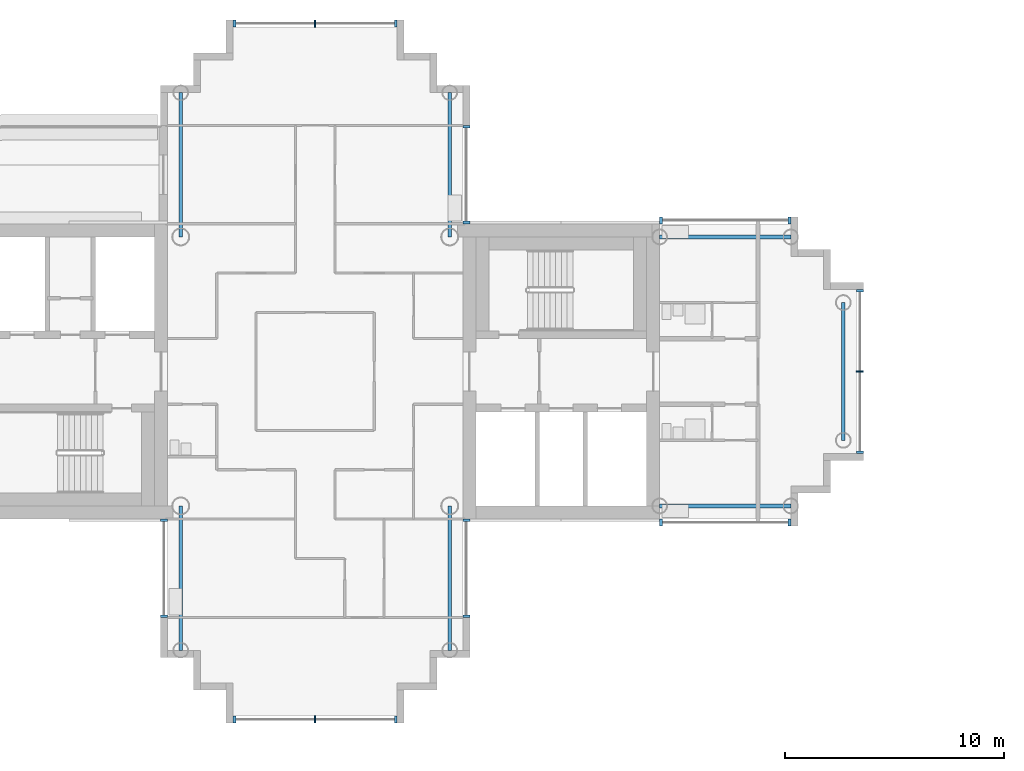
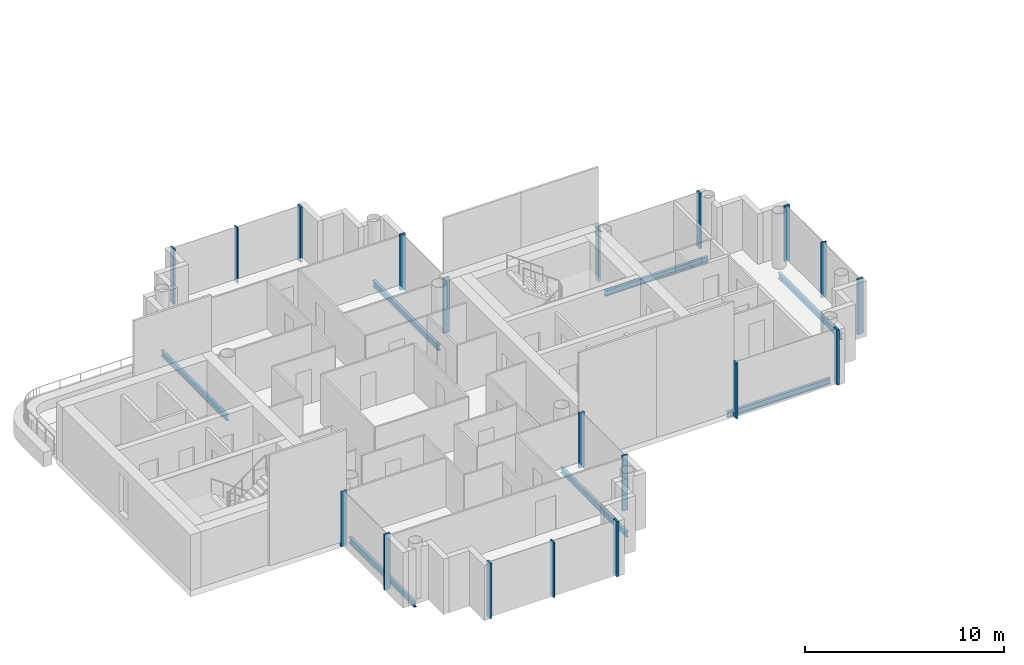
# One storey, part 3 of 18: 19 members, 7 beams, 8 elements without a shape of their own.
"""IFC4 building model written with IfcOpenShell, lengths in metres."""

from ifc_helpers import new_model, si_unit, direction, frame, origin, origin_2d, place, context, subcontext, project, spatial, rectangle, i_section, extrude, material, layer, layer_set, material_profile, profile_set, type_object, element, aggregate, save


model = new_model("IFC4")

# Units and contexts
model_context = context("Model", 3, precision=1e-05, world=origin(), true_north=direction((0.0, 1.0)))
body_context = subcontext(model_context, "Body", "Model", "MODEL_VIEW")
ifc_project = project(units=[si_unit("LENGTHUNIT", "METRE"), si_unit("AREAUNIT", "SQUARE_METRE"), si_unit("VOLUMEUNIT", "CUBIC_METRE"), si_unit("PLANEANGLEUNIT", "RADIAN"), si_unit("MASSUNIT", "GRAM", prefix="KILO")], contexts=[model_context])

# Site, building, storey
site_placement = place(None, origin())
site = spatial("IfcSite", under=ifc_project, at=site_placement, CompositionType="ELEMENT")
building_placement = place(site_placement, origin())
building = spatial("IfcBuilding", under=site, at=building_placement, Name="Ipe Terrace Towers", CompositionType="ELEMENT")
storey_placement = place(building_placement, frame((0.0, 0.0, 213.0)))
storey = spatial("IfcBuildingStorey", under=building, at=storey_placement, Name="L59", CompositionType="ELEMENT", Elevation=213.0)

# Beams
ifc_material_1 = material(Name="Steel S355", Category="steel")
ifc_material_profile_1 = material_profile(ifc_material_1, i_section(OverallWidth=0.175048828125, OverallDepth=0.35009765625, WebThickness=0.007080078125, FlangeThickness=0.010986328125, at=origin_2d()), Name="H-350x175x7x11")
ifc_profile_set_1 = profile_set([ifc_material_profile_1], Name="Steel S355")
beam_type = type_object("IfcBeamType", Name="H04 EDGE BEAM H-350x175x7x11", PredefinedType="BEAM", material=ifc_profile_set_1)
for number, where, z_axis, x_axis, name in (
    (1, (-20.25, -6.14990234375, -0.574951171875), (1.0, 0.0, 0.0), (0.0, 1.0, 0.0), "Edge beam T1-EB-A01-A03"),
    (2, (-20.25, 6.14990234375, -0.574951171875), (1.0, 0.0, 0.0), (0.0, 1.0, 0.0), "Edge beam T1-EB-A02-A04"),
):
    element("IfcBeam", number, at=place(storey_placement, frame(where, z_axis=z_axis, x_axis=x_axis)), inside=storey, type_object=beam_type, Name=name, PredefinedType="BEAM", context=body_context, shape_type="SweptSolid", body=[
        extrude(i_section(OverallWidth=0.175048828125, OverallDepth=0.35009765625, WebThickness=0.007080078125, FlangeThickness=0.010986328125, at=origin_2d()), origin(), (0.0, 0.0, 1.0), 6.0),
    ])
beam_placement = place(storey_placement, frame((-11.85009765625, -3.14990234375, -0.574951171875), z_axis=(0.0, 1.0, 0.0), x_axis=(-1.0, 0.0, 0.0)))
element("IfcBeam", 3, at=beam_placement, inside=storey, type_object=beam_type, Name="Edge beam T1-EB-A05-A06", PredefinedType="BEAM", context=body_context, shape_type="SweptSolid", body=[
    extrude(i_section(OverallWidth=0.175048828125, OverallDepth=0.35009765625, WebThickness=0.007080078125, FlangeThickness=0.010986328125, at=origin_2d()), origin(), (0.0, 0.0, 1.0), 6.2998046875),
])
for number, where, z_axis, x_axis, name in (
    (4, (-29.85009765625, 12.75, -0.574951171875), (0.0, -1.0, 0.0), (1.0, 0.0, 0.0), "Edge beam T1-EB-B01-E03"),
    (5, (-42.14990234375, 12.75, -0.574951171875), (0.0, -1.0, 0.0), (1.0, 0.0, 0.0), "Edge beam T1-EB-B02-E04"),
    (6, (-42.14990234375, -12.75, -0.574951171875), (0.0, 1.0, 0.0), (-1.0, 0.0, 0.0), "Edge beam T1-EB-D01-E01"),
    (7, (-29.85009765625, -12.75, -0.574951171875), (0.0, 1.0, 0.0), (-1.0, 0.0, 0.0), "Edge beam T1-EB-D02-E02"),
):
    element("IfcBeam", number, at=place(storey_placement, frame(where, z_axis=z_axis, x_axis=x_axis)), inside=storey, type_object=beam_type, Name=name, PredefinedType="BEAM", context=body_context, shape_type="SweptSolid", body=[
        extrude(i_section(OverallWidth=0.175048828125, OverallDepth=0.35009765625, WebThickness=0.007080078125, FlangeThickness=0.010986328125, at=origin_2d()), origin(), (0.0, 0.0, 1.0), 6.60009765625),
    ])

# Curtain wall, members
ifc_material_2 = material(Name="Aluminium alloy 6063-T6", Category="aluminium")
ifc_layer = layer(ifc_material_2, 0.320068359375)
ifc_layer_set = layer_set([ifc_layer], Name="TOWER UNITISED CURTAIN WALL")
curtain_wall_type = type_object("IfcCurtainWallType", Name="TOWER UNITISED CURTAIN WALL", PredefinedType="NOTDEFINED", material=ifc_layer_set)
curtain_wall_1_placement = place(storey_placement, origin())
curtain_wall_1 = element("IfcCurtainWall", 8, at=curtain_wall_1_placement, inside=storey, type_object=curtain_wall_type, Name="T1-CW-L59-02a curtain wall", PredefinedType="NOTDEFINED")
ifc_material_3 = material(Name="Aluminium alloy 6063-T6", Category="aluminium")
ifc_material_profile_2 = material_profile(ifc_material_3, rectangle(XDim=0.320068359375, YDim=0.1201171875, at=origin_2d()), Name="TOWER UNITISED CORNER MULLION 320 x 120")
ifc_profile_set_2 = profile_set([ifc_material_profile_2], Name="Aluminium alloy 6063-T6")
member_type_1 = type_object("IfcMemberType", Name="TOWER UNITISED CORNER MULLION 320 x 120", PredefinedType="MULLION", material=ifc_profile_set_2)
member_1_placement = place(storey_placement, frame((-42.909912109375, -6.81005859375, -0.300048828125), z_axis=(0.0, 0.0, 1.0), x_axis=(-1.0, 0.0, 0.0)))
member_1 = element("IfcMember", 9, at=member_1_placement, type_object=member_type_1, Name="T1-CW-L59-02a mullion 1", PredefinedType="MULLION", context=body_context, shape_type="SweptSolid", body=[
    extrude(rectangle(XDim=0.320068359375, YDim=0.1201171875, at=origin_2d()), origin(), (0.0, 0.0, 1.0), 3.400146484375),
])
member_2_placement = place(storey_placement, frame((-42.909912109375, -11.18994140625, -0.300048828125), z_axis=(0.0, 0.0, 1.0), x_axis=(-1.0, 0.0, 0.0)))
member_2 = element("IfcMember", 10, at=member_2_placement, type_object=member_type_1, Name="T1-CW-L59-02a mullion 2", PredefinedType="MULLION", context=body_context, shape_type="SweptSolid", body=[
    extrude(rectangle(XDim=0.320068359375, YDim=0.1201171875, at=origin_2d()), origin(), (0.0, 0.0, 1.0), 3.400146484375),
])
aggregate(curtain_wall_1, [member_1, member_2])

curtain_wall_2_placement = place(storey_placement, origin())
curtain_wall_2 = element("IfcCurtainWall", 11, at=curtain_wall_2_placement, inside=storey, type_object=curtain_wall_type, Name="T1-CW-L59-08a curtain wall", PredefinedType="NOTDEFINED")
member_3_placement = place(storey_placement, frame((-39.68994140625, -15.909912109375, -0.300048828125), z_axis=(0.0, 0.0, 1.0), x_axis=(0.0, -1.0, 0.0)))
member_3 = element("IfcMember", 12, at=member_3_placement, type_object=member_type_1, Name="T1-CW-L59-08a mullion 1", PredefinedType="MULLION", context=body_context, shape_type="SweptSolid", body=[
    extrude(rectangle(XDim=0.320068359375, YDim=0.1201171875, at=origin_2d()), origin(), (0.0, 0.0, 1.0), 3.400146484375),
])
member_4_placement = place(storey_placement, frame((-32.31005859375, -15.909912109375, -0.300048828125), z_axis=(0.0, 0.0, 1.0), x_axis=(0.0, -1.0, 0.0)))
member_4 = element("IfcMember", 13, at=member_4_placement, type_object=member_type_1, Name="T1-CW-L59-08a mullion 3", PredefinedType="MULLION", context=body_context, shape_type="SweptSolid", body=[
    extrude(rectangle(XDim=0.320068359375, YDim=0.1201171875, at=origin_2d()), origin(), (0.0, 0.0, 1.0), 3.400146484375),
])

curtain_wall_3_placement = place(storey_placement, origin())
curtain_wall_3 = element("IfcCurtainWall", 14, at=curtain_wall_3_placement, inside=storey, type_object=curtain_wall_type, Name="T1-CW-L59-14a curtain wall", PredefinedType="NOTDEFINED")
member_5_placement = place(storey_placement, frame((-29.090087890625, -11.18994140625, -0.300048828125), z_axis=(0.0, 0.0, 1.0), x_axis=(1.0, 0.0, 0.0)))
member_5 = element("IfcMember", 15, at=member_5_placement, type_object=member_type_1, Name="T1-CW-L59-14a mullion 1", PredefinedType="MULLION", context=body_context, shape_type="SweptSolid", body=[
    extrude(rectangle(XDim=0.320068359375, YDim=0.1201171875, at=origin_2d()), origin(), (0.0, 0.0, 1.0), 3.400146484375),
])
member_6_placement = place(storey_placement, frame((-29.090087890625, -6.81005859375, -0.300048828125), z_axis=(0.0, 0.0, 1.0), x_axis=(1.0, 0.0, 0.0)))
member_6 = element("IfcMember", 16, at=member_6_placement, type_object=member_type_1, Name="T1-CW-L59-14a mullion 2", PredefinedType="MULLION", context=body_context, shape_type="SweptSolid", body=[
    extrude(rectangle(XDim=0.320068359375, YDim=0.1201171875, at=origin_2d()), origin(), (0.0, 0.0, 1.0), 3.400146484375),
])
aggregate(curtain_wall_3, [member_5, member_6])

curtain_wall_4_placement = place(storey_placement, origin())
curtain_wall_4 = element("IfcCurtainWall", 17, at=curtain_wall_4_placement, inside=storey, type_object=curtain_wall_type, Name="T1-CW-L59-16b curtain wall", PredefinedType="NOTDEFINED")
member_7_placement = place(storey_placement, frame((-20.18896484375, -6.909912109375, -0.300048828125), z_axis=(0.0, 0.0, 1.0), x_axis=(0.0, -1.0, 0.0)))
member_7 = element("IfcMember", 18, at=member_7_placement, type_object=member_type_1, Name="T1-CW-L59-16b mullion 1", PredefinedType="MULLION", context=body_context, shape_type="SweptSolid", body=[
    extrude(rectangle(XDim=0.320068359375, YDim=0.1201171875, at=origin_2d()), origin(), (0.0, 0.0, 1.0), 3.400146484375),
])
member_8_placement = place(storey_placement, frame((-14.31005859375, -6.909912109375, -0.300048828125), z_axis=(0.0, 0.0, 1.0), x_axis=(0.0, -1.0, 0.0)))
member_8 = element("IfcMember", 19, at=member_8_placement, type_object=member_type_1, Name="T1-CW-L59-16b mullion 2", PredefinedType="MULLION", context=body_context, shape_type="SweptSolid", body=[
    extrude(rectangle(XDim=0.320068359375, YDim=0.1201171875, at=origin_2d()), origin(), (0.0, 0.0, 1.0), 3.400146484375),
])
aggregate(curtain_wall_4, [member_7, member_8])

curtain_wall_5_placement = place(storey_placement, origin())
curtain_wall_5 = element("IfcCurtainWall", 20, at=curtain_wall_5_placement, inside=storey, type_object=curtain_wall_type, Name="T1-CW-L59-21a curtain wall", PredefinedType="NOTDEFINED")
member_9_placement = place(storey_placement, frame((-11.090087890625, -3.68994140625, -0.300048828125), z_axis=(0.0, 0.0, 1.0), x_axis=(1.0, 0.0, 0.0)))
member_9 = element("IfcMember", 21, at=member_9_placement, type_object=member_type_1, Name="T1-CW-L59-21a mullion 1", PredefinedType="MULLION", context=body_context, shape_type="SweptSolid", body=[
    extrude(rectangle(XDim=0.320068359375, YDim=0.1201171875, at=origin_2d()), origin(), (0.0, 0.0, 1.0), 3.400146484375),
])
member_10_placement = place(storey_placement, frame((-11.090087890625, 3.68994140625, -0.300048828125), z_axis=(0.0, 0.0, 1.0), x_axis=(1.0, 0.0, 0.0)))
member_10 = element("IfcMember", 22, at=member_10_placement, type_object=member_type_1, Name="T1-CW-L59-21a mullion 3", PredefinedType="MULLION", context=body_context, shape_type="SweptSolid", body=[
    extrude(rectangle(XDim=0.320068359375, YDim=0.1201171875, at=origin_2d()), origin(), (0.0, 0.0, 1.0), 3.400146484375),
])

curtain_wall_6_placement = place(storey_placement, origin())
curtain_wall_6 = element("IfcCurtainWall", 23, at=curtain_wall_6_placement, inside=storey, type_object=curtain_wall_type, Name="T1-CW-L59-26a curtain wall", PredefinedType="NOTDEFINED")
member_11_placement = place(storey_placement, frame((-14.31005859375, 6.909912109375, -0.300048828125), z_axis=(0.0, 0.0, 1.0), x_axis=(0.0, 1.0, 0.0)))
member_11 = element("IfcMember", 24, at=member_11_placement, type_object=member_type_1, Name="T1-CW-L59-26a mullion 1", PredefinedType="MULLION", context=body_context, shape_type="SweptSolid", body=[
    extrude(rectangle(XDim=0.320068359375, YDim=0.1201171875, at=origin_2d()), origin(), (0.0, 0.0, 1.0), 3.400146484375),
])
member_12_placement = place(storey_placement, frame((-20.18896484375, 6.909912109375, -0.300048828125), z_axis=(0.0, 0.0, 1.0), x_axis=(0.0, 1.0, 0.0)))
member_12 = element("IfcMember", 25, at=member_12_placement, type_object=member_type_1, Name="T1-CW-L59-26a mullion 2", PredefinedType="MULLION", context=body_context, shape_type="SweptSolid", body=[
    extrude(rectangle(XDim=0.320068359375, YDim=0.1201171875, at=origin_2d()), origin(), (0.0, 0.0, 1.0), 3.400146484375),
])
aggregate(curtain_wall_6, [member_11, member_12])

curtain_wall_7_placement = place(storey_placement, origin())
curtain_wall_7 = element("IfcCurtainWall", 26, at=curtain_wall_7_placement, inside=storey, type_object=curtain_wall_type, Name="T1-CW-L59-28a curtain wall", PredefinedType="NOTDEFINED")
member_13_placement = place(storey_placement, frame((-29.090087890625, 6.81005859375, -0.300048828125), z_axis=(0.0, 0.0, 1.0), x_axis=(1.0, 0.0, 0.0)))
member_13 = element("IfcMember", 27, at=member_13_placement, type_object=member_type_1, Name="T1-CW-L59-28a mullion 1", PredefinedType="MULLION", context=body_context, shape_type="SweptSolid", body=[
    extrude(rectangle(XDim=0.320068359375, YDim=0.1201171875, at=origin_2d()), origin(), (0.0, 0.0, 1.0), 3.400146484375),
])
member_14_placement = place(storey_placement, frame((-29.090087890625, 11.18994140625, -0.300048828125), z_axis=(0.0, 0.0, 1.0), x_axis=(1.0, 0.0, 0.0)))
member_14 = element("IfcMember", 28, at=member_14_placement, type_object=member_type_1, Name="T1-CW-L59-28a mullion 2", PredefinedType="MULLION", context=body_context, shape_type="SweptSolid", body=[
    extrude(rectangle(XDim=0.320068359375, YDim=0.1201171875, at=origin_2d()), origin(), (0.0, 0.0, 1.0), 3.400146484375),
])
aggregate(curtain_wall_7, [member_13, member_14])

curtain_wall_8_placement = place(storey_placement, origin())
curtain_wall_8 = element("IfcCurtainWall", 29, at=curtain_wall_8_placement, inside=storey, type_object=curtain_wall_type, Name="T1-CW-L59-34a curtain wall", PredefinedType="NOTDEFINED")
member_15_placement = place(storey_placement, frame((-32.31005859375, 15.909912109375, -0.300048828125), z_axis=(0.0, 0.0, 1.0), x_axis=(0.0, 1.0, 0.0)))
member_15 = element("IfcMember", 30, at=member_15_placement, type_object=member_type_1, Name="T1-CW-L59-34a mullion 1", PredefinedType="MULLION", context=body_context, shape_type="SweptSolid", body=[
    extrude(rectangle(XDim=0.320068359375, YDim=0.1201171875, at=origin_2d()), origin(), (0.0, 0.0, 1.0), 3.400146484375),
])
member_16_placement = place(storey_placement, frame((-39.68994140625, 15.909912109375, -0.300048828125), z_axis=(0.0, 0.0, 1.0), x_axis=(0.0, 1.0, 0.0)))
member_16 = element("IfcMember", 31, at=member_16_placement, type_object=member_type_1, Name="T1-CW-L59-34a mullion 3", PredefinedType="MULLION", context=body_context, shape_type="SweptSolid", body=[
    extrude(rectangle(XDim=0.320068359375, YDim=0.1201171875, at=origin_2d()), origin(), (0.0, 0.0, 1.0), 3.400146484375),
])

# Member
ifc_material_4 = material(Name="Aluminium alloy 6063-T6", Category="aluminium")
ifc_material_profile_3 = material_profile(ifc_material_4, rectangle(XDim=0.320068359375, YDim=0.06494140625, at=origin_2d()), Name="TOWER UNITISED MULLION 320 x 65")
ifc_profile_set_3 = profile_set([ifc_material_profile_3], Name="Aluminium alloy 6063-T6")
member_type_2 = type_object("IfcMemberType", Name="TOWER UNITISED MULLION 320 x 65", PredefinedType="MULLION", material=ifc_profile_set_3)
member_17_placement = place(storey_placement, frame((-36.0, -15.909912109375, -0.300048828125), z_axis=(0.0, 0.0, 1.0), x_axis=(0.0, -1.0, 0.0)))
member_17 = element("IfcMember", 32, at=member_17_placement, type_object=member_type_2, Name="T1-CW-L59-08a mullion 2", PredefinedType="MULLION", context=body_context, shape_type="SweptSolid", body=[
    extrude(rectangle(XDim=0.320068359375, YDim=0.06494140625, at=origin_2d()), origin(), (0.0, 0.0, 1.0), 3.400146484375),
])

aggregate(curtain_wall_2, [member_3, member_17, member_4])

member_18_placement = place(storey_placement, frame((-11.090087890625, 0.0, -0.300048828125), z_axis=(0.0, 0.0, 1.0), x_axis=(1.0, 0.0, 0.0)))
member_18 = element("IfcMember", 33, at=member_18_placement, type_object=member_type_2, Name="T1-CW-L59-21a mullion 2", PredefinedType="MULLION", context=body_context, shape_type="SweptSolid", body=[
    extrude(rectangle(XDim=0.320068359375, YDim=0.06494140625, at=origin_2d()), origin(), (0.0, 0.0, 1.0), 3.400146484375),
])

aggregate(curtain_wall_5, [member_9, member_18, member_10])

member_19_placement = place(storey_placement, frame((-36.0, 15.909912109375, -0.300048828125), z_axis=(0.0, 0.0, 1.0), x_axis=(0.0, 1.0, 0.0)))
member_19 = element("IfcMember", 34, at=member_19_placement, type_object=member_type_2, Name="T1-CW-L59-34a mullion 2", PredefinedType="MULLION", context=body_context, shape_type="SweptSolid", body=[
    extrude(rectangle(XDim=0.320068359375, YDim=0.06494140625, at=origin_2d()), origin(), (0.0, 0.0, 1.0), 3.400146484375),
])

aggregate(curtain_wall_8, [member_15, member_19, member_16])

save(model, "model.ifc")
